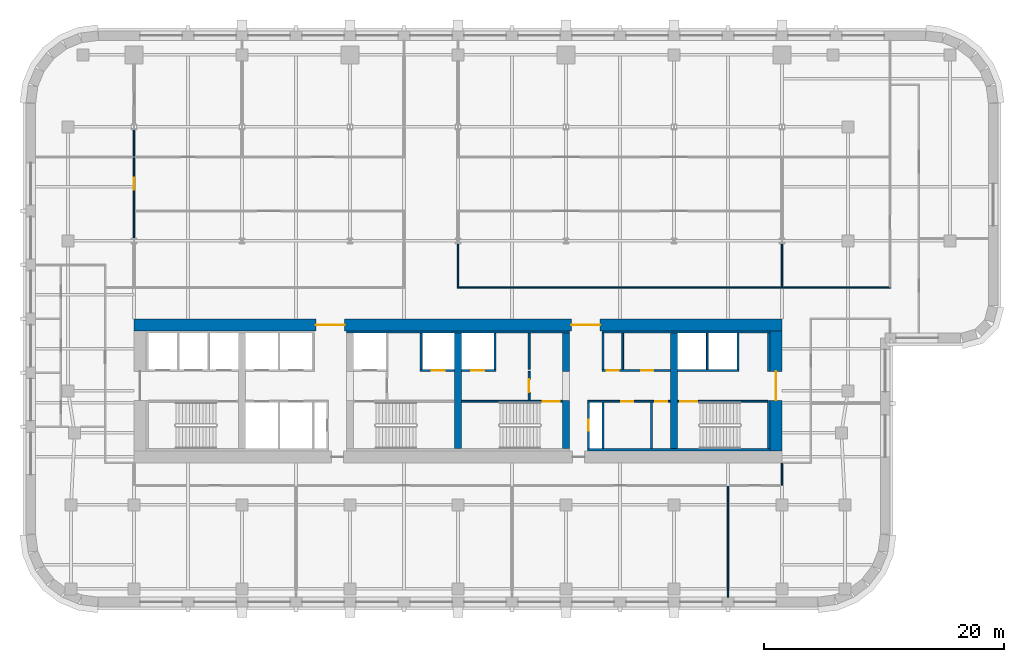
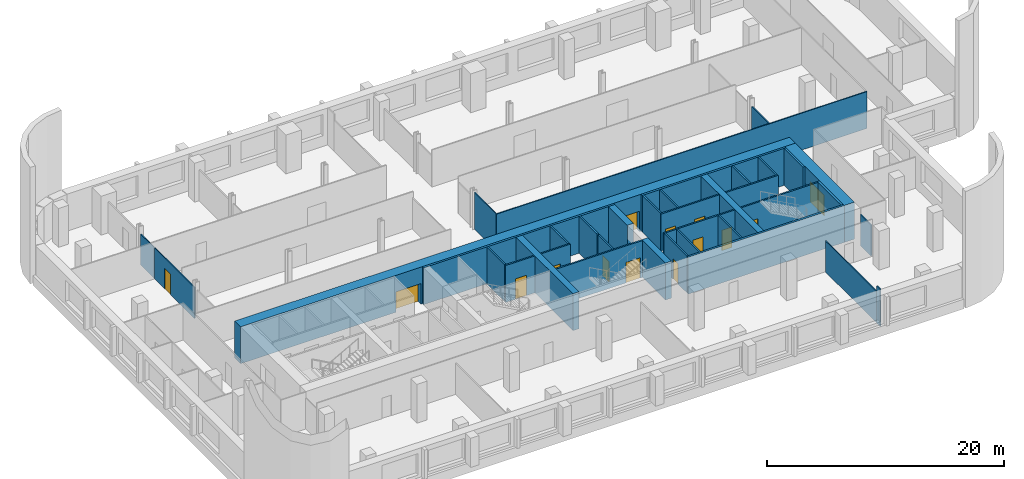
# One storey, part 5 of 10: 37 walls, 14 doors, 14 openings.
"""IFC4 building model written with IfcOpenShell, lengths in metres."""

import ifcopenshell
import ifcopenshell.guid

model = None  # the IFC model being written
_history = None  # IfcOwnerHistory: only IFC2X3 demands one
_inside = {}  # id of a spatial element -> (the spatial element, [elements in it])
_under = {}  # id of a project, library or spatial element -> (it, [spatial elements below it])
_declared = {}  # id of a project -> (the project, [libraries it declares])
_typed = {}  # id of a type object -> (the type object, [elements of that type])
_made_of = {}  # id of a material, layer set ... -> (it, [elements and type objects made of it])


def new_model(schema):
    """Start an empty IFC model of exactly this schema.

    Asked for "IFC4X3", IfcOpenShell would pick the latest addendum, in which some entities
    have other attributes; the version numbers below select the first issue.
    IFC2X3 requires an IfcOwnerHistory on every rooted entity: one is made here for all.
    """
    global model, _history
    if schema == "IFC4X3":
        model = ifcopenshell.file(schema_version=(4, 3, 0, 0))
    else:
        model = ifcopenshell.file(schema=schema)
    _inside.clear()
    _under.clear()
    _declared.clear()
    _typed.clear()
    _made_of.clear()
    _history = None
    if model.schema == "IFC2X3":
        org = make("IfcOrganization", Name="unknown")
        user = make(
            "IfcPersonAndOrganization",
            ThePerson=make("IfcPerson", FamilyName="unknown"),
            TheOrganization=org,
        )
        app = make(
            "IfcApplication",
            ApplicationDeveloper=org,
            Version="unknown",
            ApplicationFullName="unknown",
            ApplicationIdentifier="unknown",
        )
        _history = make(
            "IfcOwnerHistory",
            OwningUser=user,
            OwningApplication=app,
            ChangeAction="ADDED",
            CreationDate=0,
        )
    return model


def make(cls, **values):
    """One entity of the class cls with the attributes given. An attribute that is None is left unset."""
    return model.create_entity(
        cls, **{name: value for name, value in values.items() if value is not None}
    )


def rooted(cls, **values):
    """An entity with a GlobalId (a new one), such as an element, a storey or a relation."""
    return make(cls, GlobalId=ifcopenshell.guid.new(), OwnerHistory=_history, **values)


def si_unit(unit_type, name, prefix=None):
    """IfcSIUnit, for example si_unit("LENGTHUNIT", "METRE", prefix="MILLI")."""
    return make("IfcSIUnit", UnitType=unit_type, Prefix=prefix, Name=name)


def assignment(units):
    """IfcUnitAssignment: the units of a project."""
    return None if units is None else make("IfcUnitAssignment", Units=units)


def point(xyz):
    """IfcCartesianPoint."""
    return None if xyz is None else make("IfcCartesianPoint", Coordinates=xyz)


def direction(xyz):
    """IfcDirection."""
    return None if xyz is None else make("IfcDirection", DirectionRatios=xyz)


def frame(location, z_axis=None, x_axis=None):
    """IfcAxis2Placement3D, a coordinate frame: its origin and axes. An axis left out is left unset."""
    return make(
        "IfcAxis2Placement3D",
        Location=point(location),
        Axis=direction(z_axis),
        RefDirection=direction(x_axis),
    )


def frame_2d(location, x_axis=None):
    """IfcAxis2Placement2D, a coordinate frame in the plane: its origin and x axis."""
    return make(
        "IfcAxis2Placement2D", Location=point(location), RefDirection=direction(x_axis)
    )


def origin():
    """The frame at (0, 0, 0) with its axes left unset."""
    return frame((0.0, 0.0, 0.0))


def place(relative_to, where):
    """IfcLocalPlacement: puts the frame where relative to a parent placement (None: the world)."""
    return make(
        "IfcLocalPlacement", PlacementRelTo=relative_to, RelativePlacement=where
    )


def context(
    kind, dimensions, precision=None, world=None, true_north=None, identifier=None
):
    """IfcGeometricRepresentationContext, for example the 3D "Model" context."""
    return make(
        "IfcGeometricRepresentationContext",
        ContextIdentifier=identifier,
        ContextType=kind,
        CoordinateSpaceDimension=dimensions,
        Precision=precision,
        WorldCoordinateSystem=world,
        TrueNorth=true_north,
    )


def subcontext(parent, identifier, kind, view, scale=None):
    """IfcGeometricRepresentationSubContext, for example "Body" below "Model"."""
    return make(
        "IfcGeometricRepresentationSubContext",
        ContextIdentifier=identifier,
        ContextType=kind,
        ParentContext=parent,
        TargetScale=scale,
        TargetView=view,
    )


def project(units=None, contexts=None):
    """IfcProject with its units and contexts."""
    return rooted(
        "IfcProject",
        Name="project",
        RepresentationContexts=contexts,
        UnitsInContext=assignment(units),
    )


def spatial(cls, under=None, at=None, **own):
    """A site, building, storey or space (cls), placed at a placement, below another one or the project."""
    s = rooted(cls, ObjectPlacement=at, **own)
    if under is not None:
        _under.setdefault(under.id(), (under, []))[1].append(s)
    return s


def profile(cls, at=None, kind="AREA", **sizes):
    """A parametric profile (cls). Its sizes go by their IFC names, for example OverallWidth=200.0."""
    return make(cls, ProfileType=kind, Position=at, **sizes)


def rectangle(**sizes):
    """IfcRectangleProfileDef."""
    return profile("IfcRectangleProfileDef", **sizes)


def extrude(swept, where, along, depth):
    """IfcExtrudedAreaSolid: the profile swept, set in the frame where, extruded along a direction by depth."""
    return make(
        "IfcExtrudedAreaSolid",
        SweptArea=swept,
        Position=where,
        ExtrudedDirection=direction(along),
        Depth=depth,
    )


def shape(context_of_items, identifier, shape_type, items):
    """IfcShapeRepresentation: the items that make up one representation, for example the "Body"."""
    return make(
        "IfcShapeRepresentation",
        ContextOfItems=context_of_items,
        RepresentationIdentifier=identifier,
        RepresentationType=shape_type,
        Items=items,
    )


def material(Name=None, Category=None):
    """IfcMaterial."""
    return make("IfcMaterial", Name=Name, Category=Category)


def layer(
    of_material, thickness, ventilated=None, Name=None, Category=None, Priority=None
):
    """IfcMaterialLayer: one layer of a wall or slab, of a material (None: an air gap)."""
    return make(
        "IfcMaterialLayer",
        Material=of_material,
        LayerThickness=thickness,
        IsVentilated=ventilated,
        Name=Name,
        Category=Category,
        Priority=Priority,
    )


def layer_set(layers, Name=None):
    """IfcMaterialLayerSet."""
    return make("IfcMaterialLayerSet", MaterialLayers=layers, LayerSetName=Name)


def made_of(thing, what):
    """Note that an element or type object is made of a material, layer set ...; save() writes the relation."""
    if what is not None:
        _made_of.setdefault(what.id(), (what, []))[1].append(thing)
    return thing


def type_object(cls, material=None, **own):
    """A type object (cls), such as IfcWallType, which elements share."""
    return made_of(rooted(cls, **own), material)


def element(
    cls,
    number,
    at=None,
    inside=None,
    cuts=None,
    type_object=None,
    material=None,
    context=None,
    identifier="Body",
    shape_type=None,
    held_by="IfcProductDefinitionShape",
    body=None,
    shapes=None,
    **own,
):
    """One element of the class cls, such as IfcWall. Its Tag is "e" and its number.

    at: its placement. inside: the storey or other place that contains it. cuts: it is an
    opening in that element (IfcRelVoidsElement). A single representation is given by context,
    identifier, shape_type and body (its items); several are given by shapes. held_by: the class
    of the entity that holds the representations. save() writes the other relations.
    """
    e = rooted(cls, Tag="e%d" % number, ObjectPlacement=at, **own)
    if body is not None:
        shapes = [shape(context, identifier, shape_type, body)]
    if shapes is not None:
        e.Representation = make(held_by, Representations=shapes)
    if inside is not None:
        _inside.setdefault(inside.id(), (inside, []))[1].append(e)
    if cuts is not None:
        rooted(
            "IfcRelVoidsElement", RelatingBuildingElement=cuts, RelatedOpeningElement=e
        )
    if type_object is not None:
        _typed.setdefault(type_object.id(), (type_object, []))[1].append(e)
    return made_of(e, material)


def fill(opening, filler):
    """IfcRelFillsElement: the door or window that sits in an opening."""
    return rooted(
        "IfcRelFillsElement",
        RelatingOpeningElement=opening,
        RelatedBuildingElement=filler,
    )


def aggregate(whole, parts):
    """IfcRelAggregates: a whole, such as a stair, and the parts it consists of."""
    return rooted("IfcRelAggregates", RelatingObject=whole, RelatedObjects=parts)


def save(model, path):
    """Write the relations noted so far, then the file.

    IfcRelAggregates (storeys below a building ...), IfcRelContainedInSpatialStructure (elements
    in a storey), IfcRelDefinesByType, IfcRelAssociatesMaterial and IfcRelDeclares: one each for
    every whole, place, type object, material and project.
    """
    for whole, parts in _under.values():
        aggregate(whole, parts)
    for where, things in _inside.values():
        rooted(
            "IfcRelContainedInSpatialStructure",
            RelatedElements=things,
            RelatingStructure=where,
        )
    for kind, things in _typed.values():
        rooted("IfcRelDefinesByType", RelatedObjects=things, RelatingType=kind)
    for what, things in _made_of.values():
        rooted("IfcRelAssociatesMaterial", RelatedObjects=things, RelatingMaterial=what)
    for by, libraries in _declared.values():
        rooted("IfcRelDeclares", RelatingContext=by, RelatedDefinitions=libraries)
    model.write(path)


model = new_model("IFC4")

# Units and contexts
model_context = context("Model", 3, precision=1e-05, world=origin(), true_north=direction((0.0, 1.0)))
body_context = subcontext(model_context, "Body", "Model", "MODEL_VIEW")
ifc_project = project(units=[si_unit("LENGTHUNIT", "METRE"), si_unit("AREAUNIT", "SQUARE_METRE"), si_unit("VOLUMEUNIT", "CUBIC_METRE"), si_unit("PLANEANGLEUNIT", "RADIAN"), si_unit("MASSUNIT", "GRAM", prefix="KILO")], contexts=[model_context])

# Site, building, storey
site_placement = place(None, origin())
site = spatial("IfcSite", under=ifc_project, at=site_placement, CompositionType="ELEMENT")
building_placement = place(site_placement, origin())
building = spatial("IfcBuilding", under=site, at=building_placement, Name="Zellij Exchange Tower", CompositionType="ELEMENT")
storey_placement = place(building_placement, frame((0.0, 0.0, 120.5)))
storey = spatial("IfcBuildingStorey", under=building, at=storey_placement, Name="L26", CompositionType="ELEMENT", Elevation=120.5)

# Walls
ifc_material_1 = material(Name="Concrete C70/85", Category="concrete")
ifc_layer_1 = layer(ifc_material_1, 0.60009765625)
ifc_layer_set_1 = layer_set([ifc_layer_1], Name="Concrete C70/85")
wall_type_1 = type_object("IfcWallType", Name="CORE-CW 600 C70/85", PredefinedType="SHEAR", material=ifc_layer_set_1)
wall_1_placement = place(storey_placement, frame((0.0, -12.800048828125, 0.0), z_axis=(0.0, 0.0, 1.0), x_axis=(0.0, 1.0, 0.0)))
element("IfcWall", 1, at=wall_1_placement, inside=storey, type_object=wall_type_1, Name="Core cross wall x 0 L26", PredefinedType="SHEAR", context=body_context, shape_type="SweptSolid", body=[
    extrude(rectangle(XDim=9.60009765625, YDim=0.60009765625, at=frame_2d((4.800048828125, 0.0))), origin(), (0.0, 0.0, 1.0), 3.800048828125),
])
wall_2_placement = place(storey_placement, frame((9.0, -12.800048828125, 0.0), z_axis=(0.0, 0.0, 1.0), x_axis=(0.0, 1.0, 0.0)))
element("IfcWall", 2, at=wall_2_placement, inside=storey, type_object=wall_type_1, Name="Core cross wall pier x 9 a L26", PredefinedType="SHEAR", context=body_context, shape_type="SweptSolid", body=[
    extrude(rectangle(XDim=4.0, YDim=0.60009765625, at=frame_2d((2.0, 0.0))), origin(), (0.0, 0.0, 1.0), 3.800048828125),
])
wall_3_placement = place(storey_placement, frame((9.0, -6.375, 0.0), z_axis=(0.0, 0.0, 1.0), x_axis=(0.0, 1.0, 0.0)))
element("IfcWall", 3, at=wall_3_placement, inside=storey, type_object=wall_type_1, Name="Core cross wall pier x 9 b L26", PredefinedType="SHEAR", context=body_context, shape_type="SweptSolid", body=[
    extrude(rectangle(XDim=3.175048828125, YDim=0.60009765625, at=frame_2d((1.58740234375, 0.0))), origin(), (0.0, 0.0, 1.0), 3.800048828125),
])
wall_4_placement = place(storey_placement, frame((18.0, -12.800048828125, 0.0), z_axis=(0.0, 0.0, 1.0), x_axis=(0.0, 1.0, 0.0)))
element("IfcWall", 4, at=wall_4_placement, inside=storey, type_object=wall_type_1, Name="Core cross wall x 18 L26", PredefinedType="SHEAR", context=body_context, shape_type="SweptSolid", body=[
    extrude(rectangle(XDim=9.60009765625, YDim=0.60009765625, at=frame_2d((4.800048828125, 0.0))), origin(), (0.0, 0.0, 1.0), 3.800048828125),
])
ifc_material_2 = material(Name="Concrete C30/37", Category="concrete")
ifc_layer_2 = layer(ifc_material_2, 0.199951171875)
ifc_layer_set_2 = layer_set([ifc_layer_2], Name="Concrete C30/37")
wall_type_2 = type_object("IfcWallType", Name="CORE-LW 200 C30/37", PredefinedType="SHEAR", material=ifc_layer_set_2)
wall_5_placement = place(storey_placement, frame((-9.300048828125, -3.10009765625, 0.0), z_axis=(0.0, 0.0, 1.0), x_axis=(1.0, 0.0, 0.0)))
element("IfcWall", 5, at=wall_5_placement, inside=storey, type_object=wall_type_2, Name="Core wall lining front.1 L26", PredefinedType="SHEAR", context=body_context, shape_type="SweptSolid", body=[
    extrude(rectangle(XDim=18.60009765625, YDim=0.199951171875, at=frame_2d((9.300048828125, 0.0))), origin(), (0.0, 0.0, 1.0), 3.800048828125),
])
wall_6_placement = place(storey_placement, frame((12.0, -3.10009765625, 0.0), z_axis=(0.0, 0.0, 1.0), x_axis=(1.0, 0.0, 0.0)))
element("IfcWall", 6, at=wall_6_placement, inside=storey, type_object=wall_type_2, Name="Core wall lining front.2 L26", PredefinedType="SHEAR", context=body_context, shape_type="SweptSolid", body=[
    extrude(rectangle(XDim=14.0, YDim=0.199951171875, at=frame_2d((7.0, 0.0))), origin(), (0.0, 0.0, 1.0), 3.800048828125),
])
wall_7_placement = place(storey_placement, frame((10.800048828125, -12.89990234375, 0.0), z_axis=(0.0, 0.0, 1.0), x_axis=(1.0, 0.0, 0.0)))
element("IfcWall", 7, at=wall_7_placement, inside=storey, type_object=wall_type_2, Name="Core wall lining rear.2 L26", PredefinedType="SHEAR", context=body_context, shape_type="SweptSolid", body=[
    extrude(rectangle(XDim=15.199951171875, YDim=0.199951171875, at=frame_2d((7.60009765625, 0.0))), origin(), (0.0, 0.0, 1.0), 3.800048828125),
])
wall_8_placement = place(storey_placement, frame((25.89990234375, -12.800048828125, 0.0), z_axis=(0.0, 0.0, 1.0), x_axis=(0.0, 1.0, 0.0)))
element("IfcWall", 8, at=wall_8_placement, inside=storey, type_object=wall_type_2, Name="Core wall lining end e.0 L26", PredefinedType="SHEAR", context=body_context, shape_type="SweptSolid", body=[
    extrude(rectangle(XDim=4.0, YDim=0.199951171875, at=frame_2d((2.0, 0.0))), origin(), (0.0, 0.0, 1.0), 3.800048828125),
])
wall_9_placement = place(storey_placement, frame((25.89990234375, -6.375, 0.0), z_axis=(0.0, 0.0, 1.0), x_axis=(0.0, 1.0, 0.0)))
element("IfcWall", 9, at=wall_9_placement, inside=storey, type_object=wall_type_2, Name="Core wall lining end e.1 L26", PredefinedType="SHEAR", context=body_context, shape_type="SweptSolid", body=[
    extrude(rectangle(XDim=3.175048828125, YDim=0.199951171875, at=frame_2d((1.58740234375, 0.0))), origin(), (0.0, 0.0, 1.0), 3.800048828125),
])

# Wall, opening, door
ifc_material_3 = material(Name="Gypsum shaft wall system")
ifc_layer_3 = layer(ifc_material_3, 0.14990234375)
ifc_layer_set_3 = layer_set([ifc_layer_3], Name="Gypsum shaft wall system")
wall_type_3 = type_object("IfcWallType", Name="CORE-PW 150 Firefighting lobby wall", PredefinedType="PARTITIONING", material=ifc_layer_set_3)
wall_10_placement = place(storey_placement, frame((5.925048828125, -8.800048828125, 0.0), z_axis=(0.0, 0.0, 1.0), x_axis=(0.0, 1.0, 0.0)))
wall_10 = element("IfcWall", 10, at=wall_10_placement, inside=storey, type_object=wall_type_3, Name="Firefighting lobby wall L26", PredefinedType="PARTITIONING", context=body_context, shape_type="SweptSolid", body=[
    extrude(rectangle(XDim=2.425048828125, YDim=0.14990234375, at=frame_2d((1.21240234375, 0.0))), origin(), (0.0, 0.0, 1.0), 3.800048828125),
])
opening_1_placement = place(wall_10_placement, frame((0.662109375, 0.0, 0.0)))
opening_1 = element("IfcOpeningElement", 11, at=opening_1_placement, cuts=wall_10, Name="Opening CA-14.18", PredefinedType="OPENING", context=body_context, shape_type="SweptSolid", body=[
    extrude(rectangle(XDim=1.10009765625, YDim=2.10009765625, at=frame_2d((0.550048828125, 1.050048828125))), frame((0.0, 0.0869140625, 0.0), z_axis=(0.0, -1.0, 0.0), x_axis=(1.0, 0.0, 0.0)), (0.0, 0.0, 1.0), 0.173828125),
])
ifc_material_4 = material(Name="Hollow metal fire door")
door_type_1 = type_object("IfcDoorType", Name="CORE-D F Firefighting lobby door 1100x2100 1 HR", OperationType="NOTDEFINED", PredefinedType="DOOR", material=ifc_material_4)
door_1_placement = place(opening_1_placement, origin())
door_1 = element("IfcDoor", 12, at=door_1_placement, inside=storey, type_object=door_type_1, Name="Firefighting lobby door CA-14.18", OperationType="SINGLE_SWING_RIGHT", OverallHeight=2.10009765625, OverallWidth=1.10009765625, PredefinedType="DOOR", context=body_context, shape_type="SweptSolid", body=[
    extrude(rectangle(XDim=1.10009765625, YDim=2.10009765625, at=frame_2d((0.550048828125, 1.050048828125))), frame((0.0, 0.02490234375, 0.0), z_axis=(0.0, -1.0, 0.0), x_axis=(1.0, 0.0, 0.0)), (0.0, 0.0, 1.0), 0.050048828125),
])
fill(opening_1, door_1)

# Walls
ifc_material_5 = material(Name="Gypsum board partition")
ifc_layer_4 = layer(ifc_material_5, 0.14990234375)
ifc_layer_set_4 = layer_set([ifc_layer_4], Name="Gypsum board partition")
wall_type_4 = type_object("IfcWallType", Name="CORE-PW 150 Lift lobby wall", PredefinedType="PARTITIONING", material=ifc_layer_set_4)
for number, where, z_axis, x_axis, name in (
    (13, (5.925048828125, -6.22509765625, 0.0), (0.0, 0.0, 1.0), (0.0, 1.0, 0.0), "Lift lobby wall L26"),
    (14, (12.074951171875, -6.22509765625, 0.0), (0.0, 0.0, 1.0), (0.0, 1.0, 0.0), "Lift lobby wall L26"),
    (15, (13.72509765625, -6.22509765625, 0.0), (0.0, 0.0, 1.0), (0.0, 1.0, 0.0), "Lift lobby wall L26"),
):
    element("IfcWall", number, at=place(storey_placement, frame(where, z_axis=z_axis, x_axis=x_axis)), inside=storey, type_object=wall_type_4, Name=name, PredefinedType="PARTITIONING", context=body_context, shape_type="SweptSolid", body=[
        extrude(rectangle(XDim=3.025146484375, YDim=0.14990234375, at=frame_2d((1.5126953125, 0.0))), origin(), (0.0, 0.0, 1.0), 3.800048828125),
    ])

# Wall, opening, door
wall_11_placement = place(storey_placement, frame((10.875, -12.800048828125, 0.0), z_axis=(0.0, 0.0, 1.0), x_axis=(0.0, 1.0, 0.0)))
wall_11 = element("IfcWall", 16, at=wall_11_placement, inside=storey, type_object=wall_type_4, Name="Lift lobby wall L26", PredefinedType="PARTITIONING", context=body_context, shape_type="SweptSolid", body=[
    extrude(rectangle(XDim=3.85009765625, YDim=0.14990234375, at=frame_2d((1.925048828125, 0.0))), origin(), (0.0, 0.0, 1.0), 3.800048828125),
])
opening_2_placement = place(wall_11_placement, frame((1.47509765625, 0.0, 0.0)))
opening_2 = element("IfcOpeningElement", 17, at=opening_2_placement, cuts=wall_11, Name="Opening CA-14.22", PredefinedType="OPENING", context=body_context, shape_type="SweptSolid", body=[
    extrude(rectangle(XDim=0.89990234375, YDim=2.10009765625, at=frame_2d((0.449951171875, 1.050048828125))), frame((0.0, 0.0869140625, 0.0), z_axis=(0.0, -1.0, 0.0), x_axis=(1.0, 0.0, 0.0)), (0.0, 0.0, 1.0), 0.173828125),
])
door_type_2 = type_object("IfcDoorType", Name="CORE-D RD Riser door 900x2100 1.5 HR", OperationType="NOTDEFINED", PredefinedType="DOOR", material=ifc_material_4)
door_2_placement = place(opening_2_placement, origin())
door_2 = element("IfcDoor", 18, at=door_2_placement, inside=storey, type_object=door_type_2, Name="Riser door CA-14.22", OperationType="SINGLE_SWING_LEFT", OverallHeight=2.10009765625, OverallWidth=0.89990234375, PredefinedType="DOOR", context=body_context, shape_type="SweptSolid", body=[
    extrude(rectangle(XDim=0.89990234375, YDim=2.10009765625, at=frame_2d((0.449951171875, 1.050048828125))), frame((0.0, 0.02490234375, 0.0), z_axis=(0.0, -1.0, 0.0), x_axis=(1.0, 0.0, 0.0)), (0.0, 0.0, 1.0), 0.050048828125),
])
fill(opening_2, door_2)

# Walls
for number, where, z_axis, x_axis, name in (
    (19, (12.074951171875, -12.800048828125, 0.0), (0.0, 0.0, 1.0), (0.0, 1.0, 0.0), "Lift lobby wall L26"),
    (20, (16.125, -12.800048828125, 0.0), (0.0, 0.0, 1.0), (0.0, 1.0, 0.0), "Lift lobby wall L26"),
):
    element("IfcWall", number, at=place(storey_placement, frame(where, z_axis=z_axis, x_axis=x_axis)), inside=storey, type_object=wall_type_4, Name=name, PredefinedType="PARTITIONING", context=body_context, shape_type="SweptSolid", body=[
        extrude(rectangle(XDim=3.85009765625, YDim=0.14990234375, at=frame_2d((1.925048828125, 0.0))), origin(), (0.0, 0.0, 1.0), 3.800048828125),
    ])

# Wall, openings, doors
wall_12_placement = place(storey_placement, frame((12.0, -6.300048828125, 0.0), z_axis=(0.0, 0.0, 1.0), x_axis=(1.0, 0.0, 0.0)))
wall_12 = element("IfcWall", 21, at=wall_12_placement, inside=storey, type_object=wall_type_4, Name="Lift lobby wall L26", PredefinedType="PARTITIONING", context=body_context, shape_type="SweptSolid", body=[
    extrude(rectangle(XDim=5.699951171875, YDim=0.14990234375, at=frame_2d((2.85009765625, 0.0))), origin(), (0.0, 0.0, 1.0), 3.800048828125),
])
opening_3_placement = place(wall_12_placement, frame((0.39990234375, 0.0, 0.0)))
opening_3 = element("IfcOpeningElement", 22, at=opening_3_placement, cuts=wall_12, Name="Opening CA-14.23", PredefinedType="OPENING", context=body_context, shape_type="SweptSolid", body=[
    extrude(rectangle(XDim=1.0, YDim=2.10009765625, at=frame_2d((0.5, 1.050048828125))), frame((0.0, 0.0869140625, 0.0), z_axis=(0.0, -1.0, 0.0), x_axis=(1.0, 0.0, 0.0)), (0.0, 0.0, 1.0), 0.173828125),
])
opening_4_placement = place(wall_12_placement, frame((3.25, 0.0, 0.0)))
opening_4 = element("IfcOpeningElement", 23, at=opening_4_placement, cuts=wall_12, Name="Opening CA-14.25", PredefinedType="OPENING", context=body_context, shape_type="SweptSolid", body=[
    extrude(rectangle(XDim=1.0, YDim=2.10009765625, at=frame_2d((0.5, 1.050048828125))), frame((0.0, 0.0869140625, 0.0), z_axis=(0.0, -1.0, 0.0), x_axis=(1.0, 0.0, 0.0)), (0.0, 0.0, 1.0), 0.173828125),
])
door_type_3 = type_object("IfcDoorType", Name="CORE-D CD Core room door 1000x2100 1 HR", OperationType="NOTDEFINED", PredefinedType="DOOR", material=ifc_material_4)
door_3_placement = place(opening_3_placement, origin())
door_3 = element("IfcDoor", 24, at=door_3_placement, inside=storey, type_object=door_type_3, Name="Core room door CA-14.23", OperationType="SINGLE_SWING_LEFT", OverallHeight=2.10009765625, OverallWidth=1.0, PredefinedType="DOOR", context=body_context, shape_type="SweptSolid", body=[
    extrude(rectangle(XDim=1.0, YDim=2.10009765625, at=frame_2d((0.5, 1.050048828125))), frame((0.0, 0.02490234375, 0.0), z_axis=(0.0, -1.0, 0.0), x_axis=(1.0, 0.0, 0.0)), (0.0, 0.0, 1.0), 0.050048828125),
])
fill(opening_3, door_3)
door_4_placement = place(opening_4_placement, origin())
door_4 = element("IfcDoor", 25, at=door_4_placement, inside=storey, type_object=door_type_3, Name="Core room door CA-14.25", OperationType="SINGLE_SWING_RIGHT", OverallHeight=2.10009765625, OverallWidth=1.0, PredefinedType="DOOR", context=body_context, shape_type="SweptSolid", body=[
    extrude(rectangle(XDim=1.0, YDim=2.10009765625, at=frame_2d((0.5, 1.050048828125))), frame((0.0, 0.02490234375, 0.0), z_axis=(0.0, -1.0, 0.0), x_axis=(1.0, 0.0, 0.0)), (0.0, 0.0, 1.0), 0.050048828125),
])
fill(opening_4, door_4)

wall_13_placement = place(storey_placement, frame((10.800048828125, -8.875, 0.0), z_axis=(0.0, 0.0, 1.0), x_axis=(1.0, 0.0, 0.0)))
wall_13 = element("IfcWall", 26, at=wall_13_placement, inside=storey, type_object=wall_type_4, Name="Lift lobby wall L26", PredefinedType="PARTITIONING", context=body_context, shape_type="SweptSolid", body=[
    extrude(rectangle(XDim=6.89990234375, YDim=0.14990234375, at=frame_2d((3.449951171875, 0.0))), origin(), (0.0, 0.0, 1.0), 3.800048828125),
])
opening_5_placement = place(wall_13_placement, frame((2.800048828125, 0.0, 0.0)))
opening_5 = element("IfcOpeningElement", 27, at=opening_5_placement, cuts=wall_13, Name="Opening CA-14.24", PredefinedType="OPENING", context=body_context, shape_type="SweptSolid", body=[
    extrude(rectangle(XDim=1.0, YDim=2.10009765625, at=frame_2d((0.5, 1.050048828125))), frame((0.0, 0.0869140625, 0.0), z_axis=(0.0, -1.0, 0.0), x_axis=(1.0, 0.0, 0.0)), (0.0, 0.0, 1.0), 0.173828125),
])
opening_6_placement = place(wall_13_placement, frame((5.64990234375, 0.0, 0.0)))
opening_6 = element("IfcOpeningElement", 28, at=opening_6_placement, cuts=wall_13, Name="Opening CA-14.26", PredefinedType="OPENING", context=body_context, shape_type="SweptSolid", body=[
    extrude(rectangle(XDim=1.0, YDim=2.10009765625, at=frame_2d((0.5, 1.050048828125))), frame((0.0, 0.0869140625, 0.0), z_axis=(0.0, -1.0, 0.0), x_axis=(1.0, 0.0, 0.0)), (0.0, 0.0, 1.0), 0.173828125),
])
door_5_placement = place(opening_5_placement, origin())
door_5 = element("IfcDoor", 29, at=door_5_placement, inside=storey, type_object=door_type_3, Name="Core room door CA-14.24", OperationType="SINGLE_SWING_RIGHT", OverallHeight=2.10009765625, OverallWidth=1.0, PredefinedType="DOOR", context=body_context, shape_type="SweptSolid", body=[
    extrude(rectangle(XDim=1.0, YDim=2.10009765625, at=frame_2d((0.5, 1.050048828125))), frame((0.0, 0.02490234375, 0.0), z_axis=(0.0, -1.0, 0.0), x_axis=(1.0, 0.0, 0.0)), (0.0, 0.0, 1.0), 0.050048828125),
])
fill(opening_5, door_5)
door_6_placement = place(opening_6_placement, origin())
door_6 = element("IfcDoor", 30, at=door_6_placement, inside=storey, type_object=door_type_3, Name="Core room door CA-14.26", OperationType="SINGLE_SWING_LEFT", OverallHeight=2.10009765625, OverallWidth=1.0, PredefinedType="DOOR", context=body_context, shape_type="SweptSolid", body=[
    extrude(rectangle(XDim=1.0, YDim=2.10009765625, at=frame_2d((0.5, 1.050048828125))), frame((0.0, 0.02490234375, 0.0), z_axis=(0.0, -1.0, 0.0), x_axis=(1.0, 0.0, 0.0)), (0.0, 0.0, 1.0), 0.050048828125),
])
fill(opening_6, door_6)

# Walls
ifc_layer_5 = layer(ifc_material_3, 0.14990234375)
ifc_layer_set_5 = layer_set([ifc_layer_5], Name="Gypsum shaft wall system")
wall_type_5 = type_object("IfcWallType", Name="CORE-PW 150 Lift shaft wall", PredefinedType="PARTITIONING", material=ifc_layer_set_5)
for number, where, z_axis, x_axis, name in (
    (31, (-3.074951171875, -6.22509765625, 0.0), (0.0, 0.0, 1.0), (0.0, 1.0, 0.0), "Lift shaft wall L26"),
    (32, (3.074951171875, -6.22509765625, 0.0), (0.0, 0.0, 1.0), (0.0, 1.0, 0.0), "Lift shaft wall L26"),
    (33, (20.77490234375, -6.22509765625, 0.0), (0.0, 0.0, 1.0), (0.0, 1.0, 0.0), "Lift shaft wall L26"),
    (34, (23.324951171875, -6.22509765625, 0.0), (0.0, 0.0, 1.0), (0.0, 1.0, 0.0), "Lift shaft wall L26"),
):
    element("IfcWall", number, at=place(storey_placement, frame(where, z_axis=z_axis, x_axis=x_axis)), inside=storey, type_object=wall_type_5, Name=name, PredefinedType="PARTITIONING", context=body_context, shape_type="SweptSolid", body=[
        extrude(rectangle(XDim=3.025146484375, YDim=0.14990234375, at=frame_2d((1.5126953125, 0.0))), origin(), (0.0, 0.0, 1.0), 3.800048828125),
    ])

# Wall, opening, door
wall_14_placement = place(storey_placement, frame((-3.14990234375, -6.300048828125, 0.0), z_axis=(0.0, 0.0, 1.0), x_axis=(1.0, 0.0, 0.0)))
wall_14 = element("IfcWall", 35, at=wall_14_placement, inside=storey, type_object=wall_type_5, Name="Lift shaft wall L26", PredefinedType="PARTITIONING", context=body_context, shape_type="SweptSolid", body=[
    extrude(rectangle(XDim=2.849853515625, YDim=0.14990234375, at=frame_2d((1.4248046875, 0.0))), origin(), (0.0, 0.0, 1.0), 3.800048828125),
])
opening_7_placement = place(wall_14_placement, frame((0.949951171875, 0.0, 0.0)))
opening_7 = element("IfcOpeningElement", 36, at=opening_7_placement, cuts=wall_14, Name="Opening CA-14.16", PredefinedType="OPENING", context=body_context, shape_type="SweptSolid", body=[
    extrude(rectangle(XDim=1.10009765625, YDim=2.10009765625, at=frame_2d((0.550048828125, 1.050048828125))), frame((0.0, 0.0869140625, 0.0), z_axis=(0.0, -1.0, 0.0), x_axis=(1.0, 0.0, 0.0)), (0.0, 0.0, 1.0), 0.173828125),
])
door_type_4 = type_object("IfcDoorType", Name="CORE-D LD Lift landing door 1100x2100 1.5 HR", OperationType="NOTDEFINED", PredefinedType="DOOR", material=ifc_material_4)
door_7_placement = place(opening_7_placement, origin())
door_7 = element("IfcDoor", 37, at=door_7_placement, inside=storey, type_object=door_type_4, Name="Lift landing door CA-14.16", OperationType="SLIDING_TO_RIGHT", OverallHeight=2.10009765625, OverallWidth=1.10009765625, PredefinedType="DOOR", context=body_context, shape_type="SweptSolid", body=[
    extrude(rectangle(XDim=1.10009765625, YDim=2.10009765625, at=frame_2d((0.550048828125, 1.050048828125))), frame((0.0, 0.02490234375, 0.0), z_axis=(0.0, -1.0, 0.0), x_axis=(1.0, 0.0, 0.0)), (0.0, 0.0, 1.0), 0.050048828125),
])
fill(opening_7, door_7)

wall_15_placement = place(storey_placement, frame((0.300048828125, -6.300048828125, 0.0), z_axis=(0.0, 0.0, 1.0), x_axis=(1.0, 0.0, 0.0)))
wall_15 = element("IfcWall", 38, at=wall_15_placement, inside=storey, type_object=wall_type_5, Name="Lift shaft wall L26", PredefinedType="PARTITIONING", context=body_context, shape_type="SweptSolid", body=[
    extrude(rectangle(XDim=2.849853515625, YDim=0.14990234375, at=frame_2d((1.4248046875, 0.0))), origin(), (0.0, 0.0, 1.0), 3.800048828125),
])
opening_8_placement = place(wall_15_placement, frame((0.800048828125, 0.0, 0.0)))
opening_8 = element("IfcOpeningElement", 39, at=opening_8_placement, cuts=wall_15, Name="Opening CA-14.17", PredefinedType="OPENING", context=body_context, shape_type="SweptSolid", body=[
    extrude(rectangle(XDim=1.10009765625, YDim=2.10009765625, at=frame_2d((0.550048828125, 1.050048828125))), frame((0.0, 0.0869140625, 0.0), z_axis=(0.0, -1.0, 0.0), x_axis=(1.0, 0.0, 0.0)), (0.0, 0.0, 1.0), 0.173828125),
])
door_8_placement = place(opening_8_placement, origin())
door_8 = element("IfcDoor", 40, at=door_8_placement, inside=storey, type_object=door_type_4, Name="Lift landing door CA-14.17", OperationType="SLIDING_TO_LEFT", OverallHeight=2.10009765625, OverallWidth=1.10009765625, PredefinedType="DOOR", context=body_context, shape_type="SweptSolid", body=[
    extrude(rectangle(XDim=1.10009765625, YDim=2.10009765625, at=frame_2d((0.550048828125, 1.050048828125))), frame((0.0, 0.02490234375, 0.0), z_axis=(0.0, -1.0, 0.0), x_axis=(1.0, 0.0, 0.0)), (0.0, 0.0, 1.0), 0.050048828125),
])
fill(opening_8, door_8)

# Wall
wall_16_placement = place(storey_placement, frame((18.300048828125, -6.300048828125, 0.0), z_axis=(0.0, 0.0, 1.0), x_axis=(1.0, 0.0, 0.0)))
element("IfcWall", 41, at=wall_16_placement, inside=storey, type_object=wall_type_5, Name="Lift shaft wall L26", PredefinedType="PARTITIONING", context=body_context, shape_type="SweptSolid", body=[
    extrude(rectangle(XDim=5.099853515625, YDim=0.14990234375, at=frame_2d((2.5498046875, 0.0))), origin(), (0.0, 0.0, 1.0), 3.800048828125),
])

# Wall, openings, doors
ifc_layer_6 = layer(ifc_material_1, 1.0)
ifc_layer_set_6 = layer_set([ifc_layer_6], Name="Concrete C70/85")
wall_type_6 = type_object("IfcWallType", Name="CORE-SW 1000 C70/85", PredefinedType="SHEAR", material=ifc_layer_set_6)
wall_17_placement = place(storey_placement, frame((-27.0, -2.5, 0.0), z_axis=(0.0, 0.0, 1.0), x_axis=(1.0, 0.0, 0.0)))
wall_17 = element("IfcWall", 42, at=wall_17_placement, inside=storey, type_object=wall_type_6, Name="Core shear wall front L26", PredefinedType="SHEAR", context=body_context, shape_type="SweptSolid", body=[
    extrude(rectangle(XDim=54.0, YDim=1.0, at=frame_2d((27.0, 0.0))), origin(), (0.0, 0.0, 1.0), 3.800048828125),
])
opening_9_placement = place(wall_17_placement, frame((15.14990234375, 0.0, 0.0)))
opening_9 = element("IfcOpeningElement", 43, at=opening_9_placement, cuts=wall_17, Name="Opening CA-14.11", PredefinedType="OPENING", context=body_context, shape_type="SweptSolid", body=[
    extrude(rectangle(XDim=2.39990234375, YDim=2.10009765625, at=frame_2d((1.199951171875, 1.050048828125))), frame((0.0, 0.511962890625, 0.0), z_axis=(0.0, -1.0, 0.0), x_axis=(1.0, 0.0, 0.0)), (0.0, 0.0, 1.0), 1.02392578125),
])
opening_10_placement = place(wall_17_placement, frame((36.449951171875, 0.0, 0.0)))
opening_10 = element("IfcOpeningElement", 44, at=opening_10_placement, cuts=wall_17, Name="Opening CA-14.21", PredefinedType="OPENING", context=body_context, shape_type="SweptSolid", body=[
    extrude(rectangle(XDim=2.39990234375, YDim=2.10009765625, at=frame_2d((1.199951171875, 1.050048828125))), frame((0.0, 0.511962890625, 0.0), z_axis=(0.0, -1.0, 0.0), x_axis=(1.0, 0.0, 0.0)), (0.0, 0.0, 1.0), 1.02392578125),
])
door_type_5 = type_object("IfcDoorType", Name="CORE-D CE Core entrance door 2400x2100 20 MIN", OperationType="NOTDEFINED", PredefinedType="DOOR", material=ifc_material_4)
door_9_placement = place(opening_9_placement, origin())
door_9 = element("IfcDoor", 45, at=door_9_placement, inside=storey, type_object=door_type_5, Name="Core entrance door CA-14.11", OperationType="DOUBLE_DOOR_SINGLE_SWING", OverallHeight=2.10009765625, OverallWidth=2.39990234375, PredefinedType="DOOR", context=body_context, shape_type="SweptSolid", body=[
    extrude(rectangle(XDim=2.39990234375, YDim=2.10009765625, at=frame_2d((1.199951171875, 1.050048828125))), frame((0.0, 0.02490234375, 0.0), z_axis=(0.0, -1.0, 0.0), x_axis=(1.0, 0.0, 0.0)), (0.0, 0.0, 1.0), 0.050048828125),
])
fill(opening_9, door_9)
door_10_placement = place(opening_10_placement, origin())
door_10 = element("IfcDoor", 46, at=door_10_placement, inside=storey, type_object=door_type_5, Name="Core entrance door CA-14.21", OperationType="DOUBLE_DOOR_SINGLE_SWING", OverallHeight=2.10009765625, OverallWidth=2.39990234375, PredefinedType="DOOR", context=body_context, shape_type="SweptSolid", body=[
    extrude(rectangle(XDim=2.39990234375, YDim=2.10009765625, at=frame_2d((1.199951171875, 1.050048828125))), frame((0.0, 0.02490234375, 0.0), z_axis=(0.0, -1.0, 0.0), x_axis=(1.0, 0.0, 0.0)), (0.0, 0.0, 1.0), 0.050048828125),
])
fill(opening_10, door_10)

# Wall, opening, door
wall_18_placement = place(storey_placement, frame((26.5, -13.0, 0.0), z_axis=(0.0, 0.0, 1.0), x_axis=(0.0, 1.0, 0.0)))
wall_18 = element("IfcWall", 47, at=wall_18_placement, inside=storey, type_object=wall_type_6, Name="Core shear wall end e L26", PredefinedType="SHEAR", context=body_context, shape_type="SweptSolid", body=[
    extrude(rectangle(XDim=10.0, YDim=1.0, at=frame_2d((5.0, 0.0))), origin(), (0.0, 0.0, 1.0), 3.800048828125),
])
opening_11_placement = place(wall_18_placement, frame((4.2119140625, 0.0, 0.0)))
opening_11 = element("IfcOpeningElement", 48, at=opening_11_placement, cuts=wall_18, Name="Opening CA-14.28", PredefinedType="OPENING", context=body_context, shape_type="SweptSolid", body=[
    extrude(rectangle(XDim=2.39990234375, YDim=2.10009765625, at=frame_2d((1.199951171875, 1.050048828125))), frame((0.0, 0.511962890625, 0.0), z_axis=(0.0, -1.0, 0.0), x_axis=(1.0, 0.0, 0.0)), (0.0, 0.0, 1.0), 1.02392578125),
])
door_11_placement = place(opening_11_placement, origin())
door_11 = element("IfcDoor", 49, at=door_11_placement, inside=storey, type_object=door_type_5, Name="Core entrance door CA-14.28", OperationType="DOUBLE_DOOR_SINGLE_SWING", OverallHeight=2.10009765625, OverallWidth=2.39990234375, PredefinedType="DOOR", context=body_context, shape_type="SweptSolid", body=[
    extrude(rectangle(XDim=2.39990234375, YDim=2.10009765625, at=frame_2d((1.199951171875, 1.050048828125))), frame((0.0, 0.02490234375, 0.0), z_axis=(0.0, -1.0, 0.0), x_axis=(1.0, 0.0, 0.0)), (0.0, 0.0, 1.0), 0.050048828125),
])
fill(opening_11, door_11)

ifc_layer_7 = layer(ifc_material_1, 0.14990234375)
ifc_layer_set_7 = layer_set([ifc_layer_7], Name="Concrete C70/85")
wall_type_7 = type_object("IfcWallType", Name="CORE-SWS 150 C70/85", PredefinedType="SHEAR", material=ifc_layer_set_7)
wall_19_placement = place(storey_placement, frame((0.300048828125, -8.875, 0.0), z_axis=(0.0, 0.0, 1.0), x_axis=(1.0, 0.0, 0.0)))
wall_19 = element("IfcWall", 50, at=wall_19_placement, inside=storey, type_object=wall_type_7, Name="Stair enclosure wall L26", PredefinedType="SHEAR", context=body_context, shape_type="SweptSolid", body=[
    extrude(rectangle(XDim=8.39990234375, YDim=0.14990234375, at=frame_2d((4.199951171875, 0.0))), origin(), (0.0, 0.0, 1.0), 3.800048828125),
])
opening_12_placement = place(wall_19_placement, frame((6.77490234375, 0.0, 0.0)))
opening_12 = element("IfcOpeningElement", 51, at=opening_12_placement, cuts=wall_19, Name="Opening CA-14.19", PredefinedType="OPENING", context=body_context, shape_type="SweptSolid", body=[
    extrude(rectangle(XDim=1.39990234375, YDim=2.10009765625, at=frame_2d((0.699951171875, 1.050048828125))), frame((0.0, 0.0869140625, 0.0), z_axis=(0.0, -1.0, 0.0), x_axis=(1.0, 0.0, 0.0)), (0.0, 0.0, 1.0), 0.173828125),
])
door_type_6 = type_object("IfcDoorType", Name="CORE-D SD Stair door 1400x2100 1.5 HR", OperationType="NOTDEFINED", PredefinedType="DOOR", material=ifc_material_4)
door_12_placement = place(opening_12_placement, origin())
door_12 = element("IfcDoor", 52, at=door_12_placement, inside=storey, type_object=door_type_6, Name="Stair door CA-14.19", OperationType="DOUBLE_DOOR_SINGLE_SWING", OverallHeight=2.10009765625, OverallWidth=1.39990234375, PredefinedType="DOOR", context=body_context, shape_type="SweptSolid", body=[
    extrude(rectangle(XDim=1.39990234375, YDim=2.10009765625, at=frame_2d((0.699951171875, 1.050048828125))), frame((0.0, 0.02490234375, 0.0), z_axis=(0.0, -1.0, 0.0), x_axis=(1.0, 0.0, 0.0)), (0.0, 0.0, 1.0), 0.050048828125),
])
fill(opening_12, door_12)

wall_20_placement = place(storey_placement, frame((18.300048828125, -8.875, 0.0), z_axis=(0.0, 0.0, 1.0), x_axis=(1.0, 0.0, 0.0)))
wall_20 = element("IfcWall", 53, at=wall_20_placement, inside=storey, type_object=wall_type_7, Name="Stair enclosure wall L26", PredefinedType="SHEAR", context=body_context, shape_type="SweptSolid", body=[
    extrude(rectangle(XDim=7.5, YDim=0.14990234375, at=frame_2d((3.75, 0.0))), origin(), (0.0, 0.0, 1.0), 3.800048828125),
])
opening_13_placement = place(wall_20_placement, frame((0.22509765625, 0.0, 0.0)))
opening_13 = element("IfcOpeningElement", 54, at=opening_13_placement, cuts=wall_20, Name="Opening CA-14.27", PredefinedType="OPENING", context=body_context, shape_type="SweptSolid", body=[
    extrude(rectangle(XDim=1.39990234375, YDim=2.10009765625, at=frame_2d((0.699951171875, 1.050048828125))), frame((0.0, 0.0869140625, 0.0), z_axis=(0.0, -1.0, 0.0), x_axis=(1.0, 0.0, 0.0)), (0.0, 0.0, 1.0), 0.173828125),
])
door_13_placement = place(opening_13_placement, origin())
door_13 = element("IfcDoor", 55, at=door_13_placement, inside=storey, type_object=door_type_6, Name="Stair door CA-14.27", OperationType="DOUBLE_DOOR_SINGLE_SWING", OverallHeight=2.10009765625, OverallWidth=1.39990234375, PredefinedType="DOOR", context=body_context, shape_type="SweptSolid", body=[
    extrude(rectangle(XDim=1.39990234375, YDim=2.10009765625, at=frame_2d((0.699951171875, 1.050048828125))), frame((0.0, 0.02490234375, 0.0), z_axis=(0.0, -1.0, 0.0), x_axis=(1.0, 0.0, 0.0)), (0.0, 0.0, 1.0), 0.050048828125),
])
fill(opening_13, door_13)

# Walls
ifc_material_6 = material(Name="Gypsum board partition on steel studs", Category="steel")
ifc_layer_8 = layer(ifc_material_6, 0.10009765625)
ifc_layer_set_8 = layer_set([ifc_layer_8], Name="Gypsum board partition on steel studs")
wall_type_8 = type_object("IfcWallType", Name="FIT-PARTITION-100", PredefinedType="PARTITIONING", material=ifc_layer_set_8)
wall_21_placement = place(storey_placement, frame((22.5, -25.199951171875, 0.0), z_axis=(0.0, 0.0, 1.0), x_axis=(0.0, 1.0, 0.0)))
element("IfcWall", 56, at=wall_21_placement, inside=storey, type_object=wall_type_8, Name="FIT-PARTITION-100 005", PredefinedType="PARTITIONING", context=body_context, shape_type="SweptSolid", body=[
    extrude(rectangle(XDim=0.58544921875, YDim=0.10009765625, at=frame_2d((0.292724609375, 0.0))), origin(), (0.0, 0.0, 1.0), 3.800048828125),
])
wall_22_placement = place(storey_placement, frame((22.5, -24.614501953125, 0.0), z_axis=(0.0, 0.0, 1.0), x_axis=(0.0, 1.0, 0.0)))
element("IfcWall", 57, at=wall_22_placement, inside=storey, type_object=wall_type_8, Name="FIT-PARTITION-100 006", PredefinedType="PARTITIONING", context=body_context, shape_type="SweptSolid", body=[
    extrude(rectangle(XDim=8.66455078125, YDim=0.10009765625, at=frame_2d((4.332275390625, 0.0))), origin(), (0.0, 0.0, 1.0), 3.197998046875),
])
wall_23_placement = place(storey_placement, frame((27.0, -15.85009765625, 0.0), z_axis=(0.0, 0.0, 1.0), x_axis=(0.0, 1.0, 0.0)))
element("IfcWall", 58, at=wall_23_placement, inside=storey, type_object=wall_type_8, Name="FIT-PARTITION-100 009", PredefinedType="PARTITIONING", context=body_context, shape_type="SweptSolid", body=[
    extrude(rectangle(XDim=1.800048828125, YDim=0.10009765625, at=frame_2d((0.89990234375, 0.0))), origin(), (0.0, 0.0, 1.0), 3.18798828125),
])

# Wall, opening, door
wall_24_placement = place(storey_placement, frame((-27.0, 4.727294921875, 0.0), z_axis=(0.0, 0.0, 1.0), x_axis=(0.0, 1.0, 0.0)))
wall_24 = element("IfcWall", 59, at=wall_24_placement, inside=storey, type_object=wall_type_8, Name="FIT-PARTITION-100 025", PredefinedType="PARTITIONING", context=body_context, shape_type="SweptSolid", body=[
    extrude(rectangle(XDim=6.70263671875, YDim=0.10009765625, at=frame_2d((3.351318359375, 0.0))), origin(), (0.0, 0.0, 1.0), 3.18798828125),
])
opening_14_placement = place(wall_24_placement, frame((4.0126953125, 0.0, 0.0)))
opening_14 = element("IfcOpeningElement", 60, at=opening_14_placement, cuts=wall_24, Name="Opening TF.15", PredefinedType="OPENING", context=body_context, shape_type="SweptSolid", body=[
    extrude(rectangle(XDim=1.0, YDim=2.10009765625, at=frame_2d((0.5, 1.050048828125))), frame((0.0, 0.06201171875, 0.0), z_axis=(0.0, -1.0, 0.0), x_axis=(1.0, 0.0, 0.0)), (0.0, 0.0, 1.0), 0.1240234375),
])
ifc_material_7 = material(Name="Timber door set", Category="wood")
door_type_7 = type_object("IfcDoorType", Name="FIT-D2-WIDE-1000X2100", OperationType="SINGLE_SWING_LEFT", PredefinedType="DOOR", material=ifc_material_7)
door_14_placement = place(opening_14_placement, origin())
door_14 = element("IfcDoor", 61, at=door_14_placement, inside=storey, type_object=door_type_7, Name="Door TF.15", OperationType="SINGLE_SWING_LEFT", OverallHeight=2.10009765625, OverallWidth=1.0, PredefinedType="DOOR", context=body_context, shape_type="SweptSolid", body=[
    extrude(rectangle(XDim=1.0, YDim=2.10009765625, at=frame_2d((0.5, 1.050048828125))), frame((0.0, 0.02490234375, 0.0), z_axis=(0.0, -1.0, 0.0), x_axis=(1.0, 0.0, 0.0)), (0.0, 0.0, 1.0), 0.050048828125),
])
fill(opening_14, door_14)

# Walls
wall_25_placement = place(storey_placement, frame((-0.050048828125, 0.60009765625, 0.0), z_axis=(0.0, 0.0, 1.0), x_axis=(1.0, 0.0, 0.0)))
element("IfcWall", 62, at=wall_25_placement, inside=storey, type_object=wall_type_8, Name="FIT-PARTITION-100 027", PredefinedType="PARTITIONING", context=body_context, shape_type="SweptSolid", body=[
    extrude(rectangle(XDim=36.10009765625, YDim=0.10009765625, at=frame_2d((18.050048828125, 0.0))), origin(), (0.0, 0.0, 1.0), 3.800048828125),
])
wall_26_placement = place(storey_placement, frame((0.0, 0.64990234375, 0.0), z_axis=(0.0, 0.0, 1.0), x_axis=(0.0, 1.0, 0.0)))
element("IfcWall", 63, at=wall_26_placement, inside=storey, type_object=wall_type_8, Name="FIT-PARTITION-100 028", PredefinedType="PARTITIONING", context=body_context, shape_type="SweptSolid", body=[
    extrude(rectangle(XDim=3.622802734375, YDim=0.10009765625, at=frame_2d((1.8115234375, 0.0))), origin(), (0.0, 0.0, 1.0), 3.800048828125),
])
wall_27_placement = place(storey_placement, frame((27.0, 0.64990234375, 0.0), z_axis=(0.0, 0.0, 1.0), x_axis=(0.0, 1.0, 0.0)))
element("IfcWall", 64, at=wall_27_placement, inside=storey, type_object=wall_type_8, Name="FIT-PARTITION-100 030", PredefinedType="PARTITIONING", context=body_context, shape_type="SweptSolid", body=[
    extrude(rectangle(XDim=3.622802734375, YDim=0.10009765625, at=frame_2d((1.8115234375, 0.0))), origin(), (0.0, 0.0, 1.0), 3.18798828125),
])
wall_28_placement = place(storey_placement, frame((-27.0, 11.530029296875, 0.0), z_axis=(0.0, 0.0, 1.0), x_axis=(0.0, 1.0, 0.0)))
element("IfcWall", 65, at=wall_28_placement, inside=storey, type_object=wall_type_8, Name="FIT-PARTITION-100 039", PredefinedType="PARTITIONING", context=body_context, shape_type="SweptSolid", body=[
    extrude(rectangle(XDim=2.24267578125, YDim=0.10009765625, at=frame_2d((1.121337890625, 0.0))), origin(), (0.0, 0.0, 1.0), 3.18798828125),
])

save(model, "model.ifc")
